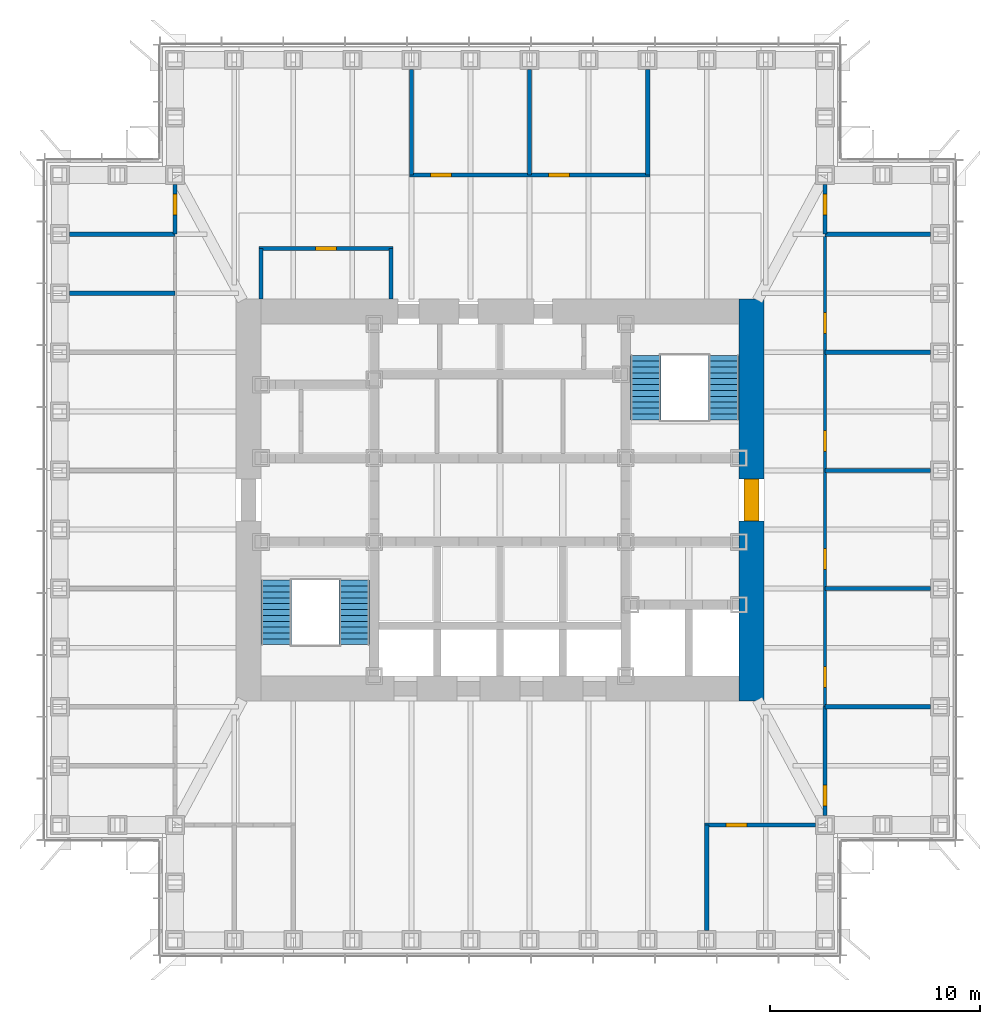
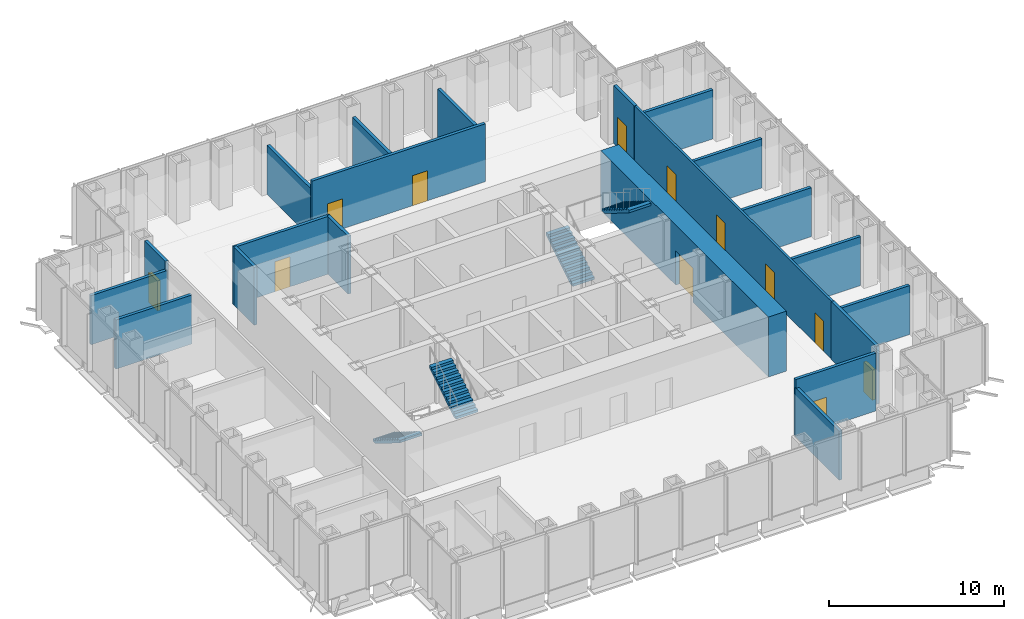
# One storey, part 10 of 17: 21 walls, 12 doors, 4 stair flights, 12 openings, 2 elements without a shape of their own.
"""IFC4 building model written with IfcOpenShell, lengths in metres."""

from ifc_helpers import new_model, si_unit, direction, frame, frame_2d, origin, place, context, subcontext, project, spatial, polyline, rectangle, outline, extrude, material, layer, layer_set, type_object, element, fill, aggregate, save


model = new_model("IFC4")

# Units and contexts
model_context = context("Model", 3, precision=1e-05, world=origin(), true_north=direction((0.0, 1.0)))
body_context = subcontext(model_context, "Body", "Model", "MODEL_VIEW")
ifc_project = project(units=[si_unit("LENGTHUNIT", "METRE"), si_unit("AREAUNIT", "SQUARE_METRE"), si_unit("VOLUMEUNIT", "CUBIC_METRE"), si_unit("PLANEANGLEUNIT", "RADIAN"), si_unit("MASSUNIT", "GRAM", prefix="KILO")], contexts=[model_context])

# Site, building, storey
site_placement = place(None, origin())
site = spatial("IfcSite", under=ifc_project, at=site_placement, CompositionType="ELEMENT")
building_placement = place(site_placement, origin())
building = spatial("IfcBuilding", under=site, at=building_placement, Name="Daluyong Arena Tower", CompositionType="ELEMENT")
storey_placement = place(building_placement, frame((0.0, 0.0, 185.5)))
storey = spatial("IfcBuildingStorey", under=building, at=storey_placement, Name="L41", CompositionType="ELEMENT", Elevation=185.5)

# Wall, opening, door
ifc_material_1 = material(Name="Concrete fc' 60 MPa", Category="concrete")
ifc_layer_1 = layer(ifc_material_1, 1.199951171875)
ifc_layer_set_1 = layer_set([ifc_layer_1], Name="Concrete fc' 60 MPa")
wall_type_1 = type_object("IfcWallType", Name="Core wall 1200", PredefinedType="SHEAR", material=ifc_layer_set_1)
wall_1_placement = place(storey_placement, frame((68.0, 70.39990234375, 0.0), z_axis=(0.0, 0.0, 1.0), x_axis=(0.0, 1.0, 0.0)))
wall_1 = element("IfcWall", 1, at=wall_1_placement, inside=storey, type_object=wall_type_1, Name="core wall at L41", PredefinedType="SHEAR", context=body_context, shape_type="SweptSolid", body=[
    extrude(rectangle(XDim=19.2001953125, YDim=1.199951171875, at=frame_2d((9.60009765625, 0.0))), origin(), (0.0, 0.0, 1.0), 4.199951171875),
])
opening_1_placement = place(wall_1_placement, frame((8.60009765625, 0.0, 0.0)))
opening_1 = element("IfcOpeningElement", 2, at=opening_1_placement, cuts=wall_1, Name="Opening 41019", PredefinedType="OPENING", context=body_context, shape_type="SweptSolid", body=[
    extrude(rectangle(XDim=2.0, YDim=2.39990234375, at=frame_2d((1.0, 1.199951171875))), frame((0.0, 0.60986328125, 0.0), z_axis=(0.0, -1.0, 0.0), x_axis=(1.0, 0.0, 0.0)), (0.0, 0.0, 1.0), 1.219970703125),
])
ifc_material_2 = material(Name="Steel door, fire rated", Category="steel")
door_type_1 = type_object("IfcDoorType", Name="Core lobby double door 2000", OperationType="DOUBLE_DOOR_SINGLE_SWING", PredefinedType="DOOR", material=ifc_material_2)
door_1_placement = place(opening_1_placement, origin())
door_1 = element("IfcDoor", 3, at=door_1_placement, inside=storey, type_object=door_type_1, Name="core lobby door east 41019", OperationType="DOUBLE_DOOR_SINGLE_SWING", OverallHeight=2.39990234375, OverallWidth=2.0, PredefinedType="DOOR", context=body_context, shape_type="SweptSolid", body=[
    extrude(rectangle(XDim=2.0, YDim=2.39990234375, at=frame_2d((1.0, 1.199951171875))), frame((0.0, 0.35009765625, 0.0), z_axis=(0.0, -1.0, 0.0), x_axis=(1.0, 0.0, 0.0)), (0.0, 0.0, 1.0), 0.699951171875),
])
fill(opening_1, door_1)

# Wall, openings, doors
ifc_material_3 = material(Name="Glazed aluminium partition", Category="aluminium")
ifc_layer_2 = layer(ifc_material_3, 0.14990234375)
ifc_layer_set_2 = layer_set([ifc_layer_2], Name="Glazed aluminium partition")
wall_type_2 = type_object("IfcWallType", Name="Glazed partition 150", PredefinedType="PARTITIONING", material=ifc_layer_set_2)
wall_2_placement = place(storey_placement, frame((71.5, 70.136474609375, 0.0), z_axis=(0.0, 0.0, 1.0), x_axis=(0.0, 1.0, 0.0)))
wall_2 = element("IfcWall", 4, at=wall_2_placement, inside=storey, type_object=wall_type_2, Name="glazed partition at L41", PredefinedType="PARTITIONING", context=body_context, shape_type="SweptSolid", body=[
    extrude(rectangle(XDim=22.54541015625, YDim=0.14990234375, at=frame_2d((11.272705078125, 0.0))), origin(), (0.0, 0.0, 1.0), 4.0400390625),
])
opening_2_placement = place(wall_2_placement, frame((0.9091796875, 0.0, 0.0)))
opening_2 = element("IfcOpeningElement", 5, at=opening_2_placement, cuts=wall_2, Name="Opening 41033", PredefinedType="OPENING", context=body_context, shape_type="SweptSolid", body=[
    extrude(rectangle(XDim=1.0, YDim=2.10009765625, at=frame_2d((0.5, 1.050048828125))), frame((0.0, 0.0849609375, 0.0), z_axis=(0.0, -1.0, 0.0), x_axis=(1.0, 0.0, 0.0)), (0.0, 0.0, 1.0), 0.169921875),
])
opening_3_placement = place(wall_2_placement, frame((6.54541015625, 0.0, 0.0)))
opening_3 = element("IfcOpeningElement", 6, at=opening_3_placement, cuts=wall_2, Name="Opening 41034", PredefinedType="OPENING", context=body_context, shape_type="SweptSolid", body=[
    extrude(rectangle(XDim=1.0, YDim=2.10009765625, at=frame_2d((0.5, 1.050048828125))), frame((0.0, 0.0849609375, 0.0), z_axis=(0.0, -1.0, 0.0), x_axis=(1.0, 0.0, 0.0)), (0.0, 0.0, 1.0), 0.169921875),
])
opening_4_placement = place(wall_2_placement, frame((12.181884765625, 0.0, 0.0)))
opening_4 = element("IfcOpeningElement", 7, at=opening_4_placement, cuts=wall_2, Name="Opening 41035", PredefinedType="OPENING", context=body_context, shape_type="SweptSolid", body=[
    extrude(rectangle(XDim=1.0, YDim=2.10009765625, at=frame_2d((0.5, 1.050048828125))), frame((0.0, 0.0849609375, 0.0), z_axis=(0.0, -1.0, 0.0), x_axis=(1.0, 0.0, 0.0)), (0.0, 0.0, 1.0), 0.169921875),
])
opening_5_placement = place(wall_2_placement, frame((17.818115234375, 0.0, 0.0)))
opening_5 = element("IfcOpeningElement", 8, at=opening_5_placement, cuts=wall_2, Name="Opening 41036", PredefinedType="OPENING", context=body_context, shape_type="SweptSolid", body=[
    extrude(rectangle(XDim=1.0, YDim=2.10009765625, at=frame_2d((0.5, 1.050048828125))), frame((0.0, 0.0849609375, 0.0), z_axis=(0.0, -1.0, 0.0), x_axis=(1.0, 0.0, 0.0)), (0.0, 0.0, 1.0), 0.169921875),
])
ifc_material_4 = material(Name="Timber door", Category="wood")
door_type_2 = type_object("IfcDoorType", Name="Room door 1000", OperationType="SINGLE_SWING_LEFT", PredefinedType="DOOR", material=ifc_material_4)
door_2_placement = place(opening_2_placement, origin())
door_2 = element("IfcDoor", 9, at=door_2_placement, inside=storey, type_object=door_type_2, Name="office door 41033", OperationType="SINGLE_SWING_LEFT", OverallHeight=2.10009765625, OverallWidth=1.0, PredefinedType="DOOR", context=body_context, shape_type="SweptSolid", body=[
    extrude(rectangle(XDim=1.0, YDim=2.10009765625, at=frame_2d((0.5, 1.050048828125))), frame((0.0, 0.07470703125, 0.0), z_axis=(0.0, -1.0, 0.0), x_axis=(1.0, 0.0, 0.0)), (0.0, 0.0, 1.0), 0.1494140625),
])
fill(opening_2, door_2)
door_3_placement = place(opening_3_placement, origin())
door_3 = element("IfcDoor", 10, at=door_3_placement, inside=storey, type_object=door_type_2, Name="office door 41034", OperationType="SINGLE_SWING_LEFT", OverallHeight=2.10009765625, OverallWidth=1.0, PredefinedType="DOOR", context=body_context, shape_type="SweptSolid", body=[
    extrude(rectangle(XDim=1.0, YDim=2.10009765625, at=frame_2d((0.5, 1.050048828125))), frame((0.0, 0.07470703125, 0.0), z_axis=(0.0, -1.0, 0.0), x_axis=(1.0, 0.0, 0.0)), (0.0, 0.0, 1.0), 0.1494140625),
])
fill(opening_3, door_3)
door_4_placement = place(opening_4_placement, origin())
door_4 = element("IfcDoor", 11, at=door_4_placement, inside=storey, type_object=door_type_2, Name="office door 41035", OperationType="SINGLE_SWING_LEFT", OverallHeight=2.10009765625, OverallWidth=1.0, PredefinedType="DOOR", context=body_context, shape_type="SweptSolid", body=[
    extrude(rectangle(XDim=1.0, YDim=2.10009765625, at=frame_2d((0.5, 1.050048828125))), frame((0.0, 0.07470703125, 0.0), z_axis=(0.0, -1.0, 0.0), x_axis=(1.0, 0.0, 0.0)), (0.0, 0.0, 1.0), 0.1494140625),
])
fill(opening_4, door_4)
door_5_placement = place(opening_5_placement, origin())
door_5 = element("IfcDoor", 12, at=door_5_placement, inside=storey, type_object=door_type_2, Name="office door 41036", OperationType="SINGLE_SWING_LEFT", OverallHeight=2.10009765625, OverallWidth=1.0, PredefinedType="DOOR", context=body_context, shape_type="SweptSolid", body=[
    extrude(rectangle(XDim=1.0, YDim=2.10009765625, at=frame_2d((0.5, 1.050048828125))), frame((0.0, 0.07470703125, 0.0), z_axis=(0.0, -1.0, 0.0), x_axis=(1.0, 0.0, 0.0)), (0.0, 0.0, 1.0), 0.1494140625),
])
fill(opening_5, door_5)

# Walls
ifc_material_5 = material(Name="Concrete block partition", Category="concrete")
ifc_layer_3 = layer(ifc_material_5, 0.199951171875)
ifc_layer_set_3 = layer_set([ifc_layer_3], Name="Concrete block partition")
wall_type_3 = type_object("IfcWallType", Name="Partition 200", PredefinedType="PARTITIONING", material=ifc_layer_set_3)
for number, where, z_axis, x_axis, name in (
    (13, (65.863525390625, 59.449951171875, 0.0), (0.0, 0.0, 1.0), (0.0, 1.0, 0.0), "partition at L41"),
    (14, (71.5, 70.136474609375, 0.0), (0.0, 0.0, 1.0), (1.0, 0.0, 0.0), "partition at L41"),
    (15, (71.5, 75.772705078125, 0.0), (0.0, 0.0, 1.0), (1.0, 0.0, 0.0), "partition at L41"),
    (16, (71.5, 81.4091796875, 0.0), (0.0, 0.0, 1.0), (1.0, 0.0, 0.0), "partition at L41"),
    (17, (71.5, 87.04541015625, 0.0), (0.0, 0.0, 1.0), (1.0, 0.0, 0.0), "partition at L41"),
    (18, (71.5, 92.681884765625, 0.0), (0.0, 0.0, 1.0), (1.0, 0.0, 0.0), "partition at L41"),
    (19, (51.772705078125, 95.5, 0.0), (0.0, 0.0, 1.0), (0.0, 1.0, 0.0), "partition at L41"),
    (20, (57.4091796875, 95.5, 0.0), (0.0, 0.0, 1.0), (0.0, 1.0, 0.0), "partition at L41"),
    (21, (63.04541015625, 95.5, 0.0), (0.0, 0.0, 1.0), (0.0, 1.0, 0.0), "partition at L41"),
    (22, (35.449951171875, 89.863525390625, 0.0), (0.0, 0.0, 1.0), (1.0, 0.0, 0.0), "partition at L41"),
    (23, (35.449951171875, 92.681884765625, 0.0), (0.0, 0.0, 1.0), (1.0, 0.0, 0.0), "partition at L41"),
):
    element("IfcWall", number, at=place(storey_placement, frame(where, z_axis=z_axis, x_axis=x_axis)), inside=storey, type_object=wall_type_3, Name=name, PredefinedType="PARTITIONING", context=body_context, shape_type="SweptSolid", body=[
        extrude(rectangle(XDim=5.050048828125, YDim=0.199951171875, at=frame_2d((2.52490234375, 0.0))), origin(), (0.0, 0.0, 1.0), 3.427978515625),
    ])
for number, where, z_axis, x_axis, name in (
    (24, (44.60009765625, 89.60009765625, 0.0), (0.0, 0.0, 1.0), (0.0, 1.0, 0.0), "partition at L41"),
    (25, (50.800048828125, 89.60009765625, 0.0), (0.0, 0.0, 1.0), (0.0, 1.0, 0.0), "partition at L41"),
):
    element("IfcWall", number, at=place(storey_placement, frame(where, z_axis=z_axis, x_axis=x_axis)), inside=storey, type_object=wall_type_3, Name=name, PredefinedType="PARTITIONING", context=body_context, shape_type="SweptSolid", body=[
        extrude(rectangle(XDim=2.39990234375, YDim=0.199951171875, at=frame_2d((1.199951171875, 0.0))), origin(), (0.0, 0.0, 1.0), 4.0400390625),
    ])

# Wall, opening, door
wall_3_placement = place(storey_placement, frame((65.763671875, 64.5, 0.0), z_axis=(0.0, 0.0, 1.0), x_axis=(1.0, 0.0, 0.0)))
wall_3 = element("IfcWall", 26, at=wall_3_placement, inside=storey, type_object=wall_type_3, Name="partition at L41", PredefinedType="PARTITIONING", context=body_context, shape_type="SweptSolid", body=[
    extrude(rectangle(XDim=5.286376953125, YDim=0.199951171875, at=frame_2d((2.64306640625, 0.0))), origin(), (0.0, 0.0, 1.0), 4.0400390625),
])
opening_6_placement = place(wall_3_placement, frame((1.009033203125, 0.0, 0.0)))
opening_6 = element("IfcOpeningElement", 27, at=opening_6_placement, cuts=wall_3, Name="Opening 41031", PredefinedType="OPENING", context=body_context, shape_type="SweptSolid", body=[
    extrude(rectangle(XDim=1.0, YDim=2.10009765625, at=frame_2d((0.5, 1.050048828125))), frame((0.0, 0.10986328125, 0.0), z_axis=(0.0, -1.0, 0.0), x_axis=(1.0, 0.0, 0.0)), (0.0, 0.0, 1.0), 0.219970703125),
])
door_6_placement = place(opening_6_placement, origin())
door_6 = element("IfcDoor", 28, at=door_6_placement, inside=storey, type_object=door_type_2, Name="project room door 41031", OperationType="SINGLE_SWING_LEFT", OverallHeight=2.10009765625, OverallWidth=1.0, PredefinedType="DOOR", context=body_context, shape_type="SweptSolid", body=[
    extrude(rectangle(XDim=1.0, YDim=2.10009765625, at=frame_2d((0.5, 1.050048828125))), frame((0.0, 0.099609375, 0.0), z_axis=(0.0, -1.0, 0.0), x_axis=(1.0, 0.0, 0.0)), (0.0, 0.0, 1.0), 0.199462890625),
])
fill(opening_6, door_6)

wall_4_placement = place(storey_placement, frame((44.5, 92.0, 0.0), z_axis=(0.0, 0.0, 1.0), x_axis=(1.0, 0.0, 0.0)))
wall_4 = element("IfcWall", 29, at=wall_4_placement, inside=storey, type_object=wall_type_3, Name="partition at L41", PredefinedType="PARTITIONING", context=body_context, shape_type="SweptSolid", body=[
    extrude(rectangle(XDim=6.39990234375, YDim=0.199951171875, at=frame_2d((3.199951171875, 0.0))), origin(), (0.0, 0.0, 1.0), 4.0400390625),
])
opening_7_placement = place(wall_4_placement, frame((2.699951171875, 0.0, 0.0)))
opening_7 = element("IfcOpeningElement", 30, at=opening_7_placement, cuts=wall_4, Name="Opening 41048", PredefinedType="OPENING", context=body_context, shape_type="SweptSolid", body=[
    extrude(rectangle(XDim=1.0, YDim=2.10009765625, at=frame_2d((0.5, 1.050048828125))), frame((0.0, 0.10986328125, 0.0), z_axis=(0.0, -1.0, 0.0), x_axis=(1.0, 0.0, 0.0)), (0.0, 0.0, 1.0), 0.219970703125),
])
door_7_placement = place(opening_7_placement, origin())
door_7 = element("IfcDoor", 31, at=door_7_placement, inside=storey, type_object=door_type_2, Name="copy room door 41048", OperationType="SINGLE_SWING_LEFT", OverallHeight=2.10009765625, OverallWidth=1.0, PredefinedType="DOOR", context=body_context, shape_type="SweptSolid", body=[
    extrude(rectangle(XDim=1.0, YDim=2.10009765625, at=frame_2d((0.5, 1.050048828125))), frame((0.0, 0.099609375, 0.0), z_axis=(0.0, -1.0, 0.0), x_axis=(1.0, 0.0, 0.0)), (0.0, 0.0, 1.0), 0.199462890625),
])
fill(opening_7, door_7)

# Wall, openings, doors
wall_5_placement = place(storey_placement, frame((51.672607421875, 95.5, 0.0), z_axis=(0.0, 0.0, 1.0), x_axis=(1.0, 0.0, 0.0)))
wall_5 = element("IfcWall", 32, at=wall_5_placement, inside=storey, type_object=wall_type_3, Name="partition at L41", PredefinedType="PARTITIONING", context=body_context, shape_type="SweptSolid", body=[
    extrude(rectangle(XDim=11.472900390625, YDim=0.199951171875, at=frame_2d((5.736328125, 0.0))), origin(), (0.0, 0.0, 1.0), 4.0400390625),
])
opening_8_placement = place(wall_5_placement, frame((1.009033203125, 0.0, 0.0)))
opening_8 = element("IfcOpeningElement", 33, at=opening_8_placement, cuts=wall_5, Name="Opening 41038", PredefinedType="OPENING", context=body_context, shape_type="SweptSolid", body=[
    extrude(rectangle(XDim=1.0, YDim=2.10009765625, at=frame_2d((0.5, 1.050048828125))), frame((0.0, 0.10986328125, 0.0), z_axis=(0.0, -1.0, 0.0), x_axis=(1.0, 0.0, 0.0)), (0.0, 0.0, 1.0), 0.219970703125),
])
opening_9_placement = place(wall_5_placement, frame((6.6455078125, 0.0, 0.0)))
opening_9 = element("IfcOpeningElement", 34, at=opening_9_placement, cuts=wall_5, Name="Opening 41039", PredefinedType="OPENING", context=body_context, shape_type="SweptSolid", body=[
    extrude(rectangle(XDim=1.0, YDim=2.10009765625, at=frame_2d((0.5, 1.050048828125))), frame((0.0, 0.10986328125, 0.0), z_axis=(0.0, -1.0, 0.0), x_axis=(1.0, 0.0, 0.0)), (0.0, 0.0, 1.0), 0.219970703125),
])
door_8_placement = place(opening_8_placement, origin())
door_8 = element("IfcDoor", 35, at=door_8_placement, inside=storey, type_object=door_type_2, Name="project room door 41038", OperationType="SINGLE_SWING_LEFT", OverallHeight=2.10009765625, OverallWidth=1.0, PredefinedType="DOOR", context=body_context, shape_type="SweptSolid", body=[
    extrude(rectangle(XDim=1.0, YDim=2.10009765625, at=frame_2d((0.5, 1.050048828125))), frame((0.0, 0.099609375, 0.0), z_axis=(0.0, -1.0, 0.0), x_axis=(1.0, 0.0, 0.0)), (0.0, 0.0, 1.0), 0.199462890625),
])
fill(opening_8, door_8)
door_9_placement = place(opening_9_placement, origin())
door_9 = element("IfcDoor", 36, at=door_9_placement, inside=storey, type_object=door_type_2, Name="pantry door 41039", OperationType="SINGLE_SWING_LEFT", OverallHeight=2.10009765625, OverallWidth=1.0, PredefinedType="DOOR", context=body_context, shape_type="SweptSolid", body=[
    extrude(rectangle(XDim=1.0, YDim=2.10009765625, at=frame_2d((0.5, 1.050048828125))), frame((0.0, 0.099609375, 0.0), z_axis=(0.0, -1.0, 0.0), x_axis=(1.0, 0.0, 0.0)), (0.0, 0.0, 1.0), 0.199462890625),
])
fill(opening_9, door_9)

# Wall, opening, door
wall_6_placement = place(storey_placement, frame((40.5, 92.681884765625, 0.0), z_axis=(0.0, 0.0, 1.0), x_axis=(0.0, 1.0, 0.0)))
wall_6 = element("IfcWall", 37, at=wall_6_placement, inside=storey, type_object=wall_type_3, Name="partition at L41", PredefinedType="PARTITIONING", context=body_context, shape_type="SweptSolid", body=[
    extrude(rectangle(XDim=2.3681640625, YDim=0.199951171875, at=frame_2d((1.18408203125, 0.0))), origin(), (0.0, 0.0, 1.0), 4.0400390625),
])
opening_10_placement = place(wall_6_placement, frame((0.9091796875, 0.0, 0.0)))
opening_10 = element("IfcOpeningElement", 38, at=opening_10_placement, cuts=wall_6, Name="Opening 41047", PredefinedType="OPENING", context=body_context, shape_type="SweptSolid", body=[
    extrude(rectangle(XDim=1.0, YDim=2.10009765625, at=frame_2d((0.5, 1.050048828125))), frame((0.0, 0.10986328125, 0.0), z_axis=(0.0, -1.0, 0.0), x_axis=(1.0, 0.0, 0.0)), (0.0, 0.0, 1.0), 0.219970703125),
])
door_10_placement = place(opening_10_placement, origin())
door_10 = element("IfcDoor", 39, at=door_10_placement, inside=storey, type_object=door_type_2, Name="quiet room door 41047", OperationType="SINGLE_SWING_LEFT", OverallHeight=2.10009765625, OverallWidth=1.0, PredefinedType="DOOR", context=body_context, shape_type="SweptSolid", body=[
    extrude(rectangle(XDim=1.0, YDim=2.10009765625, at=frame_2d((0.5, 1.050048828125))), frame((0.0, 0.099609375, 0.0), z_axis=(0.0, -1.0, 0.0), x_axis=(1.0, 0.0, 0.0)), (0.0, 0.0, 1.0), 0.199462890625),
])
fill(opening_10, door_10)

wall_7_placement = place(storey_placement, frame((71.5, 64.949951171875, 0.0), z_axis=(0.0, 0.0, 1.0), x_axis=(0.0, 1.0, 0.0)))
wall_7 = element("IfcWall", 40, at=wall_7_placement, inside=storey, type_object=wall_type_3, Name="partition at L41", PredefinedType="PARTITIONING", context=body_context, shape_type="SweptSolid", body=[
    extrude(rectangle(XDim=5.1865234375, YDim=0.199951171875, at=frame_2d((2.59326171875, 0.0))), origin(), (0.0, 0.0, 1.0), 4.0400390625),
])
opening_11_placement = place(wall_7_placement, frame((0.458984375, 0.0, 0.0)))
opening_11 = element("IfcOpeningElement", 41, at=opening_11_placement, cuts=wall_7, Name="Opening 41032", PredefinedType="OPENING", context=body_context, shape_type="SweptSolid", body=[
    extrude(rectangle(XDim=1.0, YDim=2.10009765625, at=frame_2d((0.5, 1.050048828125))), frame((0.0, 0.10986328125, 0.0), z_axis=(0.0, -1.0, 0.0), x_axis=(1.0, 0.0, 0.0)), (0.0, 0.0, 1.0), 0.219970703125),
])
door_11_placement = place(opening_11_placement, origin())
door_11 = element("IfcDoor", 42, at=door_11_placement, inside=storey, type_object=door_type_2, Name="project room door 41032", OperationType="SINGLE_SWING_LEFT", OverallHeight=2.10009765625, OverallWidth=1.0, PredefinedType="DOOR", context=body_context, shape_type="SweptSolid", body=[
    extrude(rectangle(XDim=1.0, YDim=2.10009765625, at=frame_2d((0.5, 1.050048828125))), frame((0.0, 0.099609375, 0.0), z_axis=(0.0, -1.0, 0.0), x_axis=(1.0, 0.0, 0.0)), (0.0, 0.0, 1.0), 0.199462890625),
])
fill(opening_11, door_11)

wall_8_placement = place(storey_placement, frame((71.5, 92.681884765625, 0.0), z_axis=(0.0, 0.0, 1.0), x_axis=(0.0, 1.0, 0.0)))
wall_8 = element("IfcWall", 43, at=wall_8_placement, inside=storey, type_object=wall_type_3, Name="partition at L41", PredefinedType="PARTITIONING", context=body_context, shape_type="SweptSolid", body=[
    extrude(rectangle(XDim=2.3681640625, YDim=0.199951171875, at=frame_2d((1.18408203125, 0.0))), origin(), (0.0, 0.0, 1.0), 4.0400390625),
])
opening_12_placement = place(wall_8_placement, frame((0.9091796875, 0.0, 0.0)))
opening_12 = element("IfcOpeningElement", 44, at=opening_12_placement, cuts=wall_8, Name="Opening 41037", PredefinedType="OPENING", context=body_context, shape_type="SweptSolid", body=[
    extrude(rectangle(XDim=1.0, YDim=2.10009765625, at=frame_2d((0.5, 1.050048828125))), frame((0.0, 0.10986328125, 0.0), z_axis=(0.0, -1.0, 0.0), x_axis=(1.0, 0.0, 0.0)), (0.0, 0.0, 1.0), 0.219970703125),
])
door_12_placement = place(opening_12_placement, origin())
door_12 = element("IfcDoor", 45, at=door_12_placement, inside=storey, type_object=door_type_2, Name="quiet room door 41037", OperationType="SINGLE_SWING_LEFT", OverallHeight=2.10009765625, OverallWidth=1.0, PredefinedType="DOOR", context=body_context, shape_type="SweptSolid", body=[
    extrude(rectangle(XDim=1.0, YDim=2.10009765625, at=frame_2d((0.5, 1.050048828125))), frame((0.0, 0.099609375, 0.0), z_axis=(0.0, -1.0, 0.0), x_axis=(1.0, 0.0, 0.0)), (0.0, 0.0, 1.0), 0.199462890625),
])
fill(opening_12, door_12)

# Stair, stair flights
ifc_material_6 = material(Name="Concrete fc' 35 MPa", Category="concrete")
stair_type = type_object("IfcStairType", Name="Core exit stair", PredefinedType="HALF_TURN_STAIR", material=ifc_material_6)
stair_1_placement = place(storey_placement, origin())
stair_1 = element("IfcStair", 46, at=stair_1_placement, inside=storey, type_object=stair_type, Name="exit stair A L41", PredefinedType="HALF_TURN_STAIR")
ifc_material_7 = material(Name="Concrete fc' 35 MPa", Category="concrete")
stair_flight_type = type_object("IfcStairFlightType", Name="Core stair flight", PredefinedType="STRAIGHT", material=ifc_material_7)
stair_flight_1_placement = place(storey_placement, frame((45.324951171875, 76.175048828125, 0.0), z_axis=(0.0, 0.0, 1.0), x_axis=(0.0, -1.0, 0.0)))
stair_flight_1 = element("IfcStairFlight", 47, at=stair_flight_1_placement, type_object=stair_flight_type, Name="STA flight 1", NumberOfRisers=12, NumberOfTreads=11, PredefinedType="STRAIGHT", RiserHeight=0.175, TreadLength=0.28, context=body_context, shape_type="SweptSolid", body=[
    extrude(outline(polyline([(0.0, 0.0), (0.0, 0.175048828125), (0.280029296875, 0.175048828125), (0.280029296875, 0.35009765625), (0.56005859375, 0.35009765625), (0.56005859375, 0.52490234375), (0.840087890625, 0.52490234375), (0.840087890625, 0.699951171875), (1.1201171875, 0.699951171875), (1.1201171875, 0.875), (1.39990234375, 0.875), (1.39990234375, 1.050048828125), (1.679931640625, 1.050048828125), (1.679931640625, 1.22509765625), (1.9599609375, 1.22509765625), (1.9599609375, 1.39990234375), (2.239990234375, 1.39990234375), (2.239990234375, 1.574951171875), (2.52001953125, 1.574951171875), (2.52001953125, 1.75), (2.800048828125, 1.75), (2.800048828125, 1.925048828125), (3.080078125, 1.925048828125), (3.080078125, 2.10009765625), (3.080078125, 1.748291015625), (0.28271484375, 0.0), (0.0, 0.0)])), frame((0.0, 0.72509765625, 0.0), z_axis=(0.0, -1.0, 0.0), x_axis=(1.0, 0.0, 0.0)), (0.0, 0.0, 1.0), 1.449951171875),
])
stair_flight_2_placement = place(storey_placement, frame((49.050048828125, 73.094970703125, 2.10009765625), z_axis=(0.0, 0.0, 1.0), x_axis=(0.0, 1.0, 0.0)))
stair_flight_2 = element("IfcStairFlight", 48, at=stair_flight_2_placement, type_object=stair_flight_type, Name="STA flight 2", NumberOfRisers=12, NumberOfTreads=11, PredefinedType="STRAIGHT", RiserHeight=0.175, TreadLength=0.28, context=body_context, shape_type="SweptSolid", body=[
    extrude(outline(polyline([(0.0, 0.0), (0.0, 0.175048828125), (0.280029296875, 0.175048828125), (0.280029296875, 0.35009765625), (0.56005859375, 0.35009765625), (0.56005859375, 0.52490234375), (0.840087890625, 0.52490234375), (0.840087890625, 0.699951171875), (1.1201171875, 0.699951171875), (1.1201171875, 0.875), (1.39990234375, 0.875), (1.39990234375, 1.050048828125), (1.679931640625, 1.050048828125), (1.679931640625, 1.22509765625), (1.9599609375, 1.22509765625), (1.9599609375, 1.39990234375), (2.239990234375, 1.39990234375), (2.239990234375, 1.574951171875), (2.52001953125, 1.574951171875), (2.52001953125, 1.75), (2.800048828125, 1.75), (2.800048828125, 1.925048828125), (3.080078125, 1.925048828125), (3.080078125, 2.10009765625), (3.080078125, 1.748291015625), (0.28271484375, 0.0), (0.0, 0.0)])), frame((0.0, 0.72509765625, 0.0), z_axis=(0.0, -1.0, 0.0), x_axis=(1.0, 0.0, 0.0)), (0.0, 0.0, 1.0), 1.449951171875),
])
aggregate(stair_1, [stair_flight_1, stair_flight_2])

stair_2_placement = place(storey_placement, origin())
stair_2 = element("IfcStair", 49, at=stair_2_placement, inside=storey, type_object=stair_type, Name="exit stair B L41", PredefinedType="HALF_TURN_STAIR")
stair_flight_3_placement = place(storey_placement, frame((62.949951171875, 83.824951171875, 0.0), z_axis=(0.0, 0.0, 1.0), x_axis=(0.0, 1.0, 0.0)))
stair_flight_3 = element("IfcStairFlight", 50, at=stair_flight_3_placement, type_object=stair_flight_type, Name="STB flight 1", NumberOfRisers=12, NumberOfTreads=11, PredefinedType="STRAIGHT", RiserHeight=0.175, TreadLength=0.28, context=body_context, shape_type="SweptSolid", body=[
    extrude(outline(polyline([(0.0, 0.0), (0.0, 0.175048828125), (0.280029296875, 0.175048828125), (0.280029296875, 0.35009765625), (0.56005859375, 0.35009765625), (0.56005859375, 0.52490234375), (0.840087890625, 0.52490234375), (0.840087890625, 0.699951171875), (1.1201171875, 0.699951171875), (1.1201171875, 0.875), (1.39990234375, 0.875), (1.39990234375, 1.050048828125), (1.679931640625, 1.050048828125), (1.679931640625, 1.22509765625), (1.9599609375, 1.22509765625), (1.9599609375, 1.39990234375), (2.239990234375, 1.39990234375), (2.239990234375, 1.574951171875), (2.52001953125, 1.574951171875), (2.52001953125, 1.75), (2.800048828125, 1.75), (2.800048828125, 1.925048828125), (3.080078125, 1.925048828125), (3.080078125, 2.10009765625), (3.080078125, 1.748291015625), (0.28271484375, 0.0), (0.0, 0.0)])), frame((0.0, 0.72509765625, 0.0), z_axis=(0.0, -1.0, 0.0), x_axis=(1.0, 0.0, 0.0)), (0.0, 0.0, 1.0), 1.449951171875),
])
stair_flight_4_placement = place(storey_placement, frame((66.675048828125, 86.905029296875, 2.10009765625), z_axis=(0.0, 0.0, 1.0), x_axis=(0.0, -1.0, 0.0)))
stair_flight_4 = element("IfcStairFlight", 51, at=stair_flight_4_placement, type_object=stair_flight_type, Name="STB flight 2", NumberOfRisers=12, NumberOfTreads=11, PredefinedType="STRAIGHT", RiserHeight=0.175, TreadLength=0.28, context=body_context, shape_type="SweptSolid", body=[
    extrude(outline(polyline([(0.0, 0.0), (0.0, 0.175048828125), (0.280029296875, 0.175048828125), (0.280029296875, 0.35009765625), (0.56005859375, 0.35009765625), (0.56005859375, 0.52490234375), (0.840087890625, 0.52490234375), (0.840087890625, 0.699951171875), (1.1201171875, 0.699951171875), (1.1201171875, 0.875), (1.39990234375, 0.875), (1.39990234375, 1.050048828125), (1.679931640625, 1.050048828125), (1.679931640625, 1.22509765625), (1.9599609375, 1.22509765625), (1.9599609375, 1.39990234375), (2.239990234375, 1.39990234375), (2.239990234375, 1.574951171875), (2.52001953125, 1.574951171875), (2.52001953125, 1.75), (2.800048828125, 1.75), (2.800048828125, 1.925048828125), (3.080078125, 1.925048828125), (3.080078125, 2.10009765625), (3.080078125, 1.748291015625), (0.28271484375, 0.0), (0.0, 0.0)])), frame((0.0, 0.72509765625, 0.0), z_axis=(0.0, -1.0, 0.0), x_axis=(1.0, 0.0, 0.0)), (0.0, 0.0, 1.0), 1.449951171875),
])
aggregate(stair_2, [stair_flight_3, stair_flight_4])

save(model, "model.ifc")
